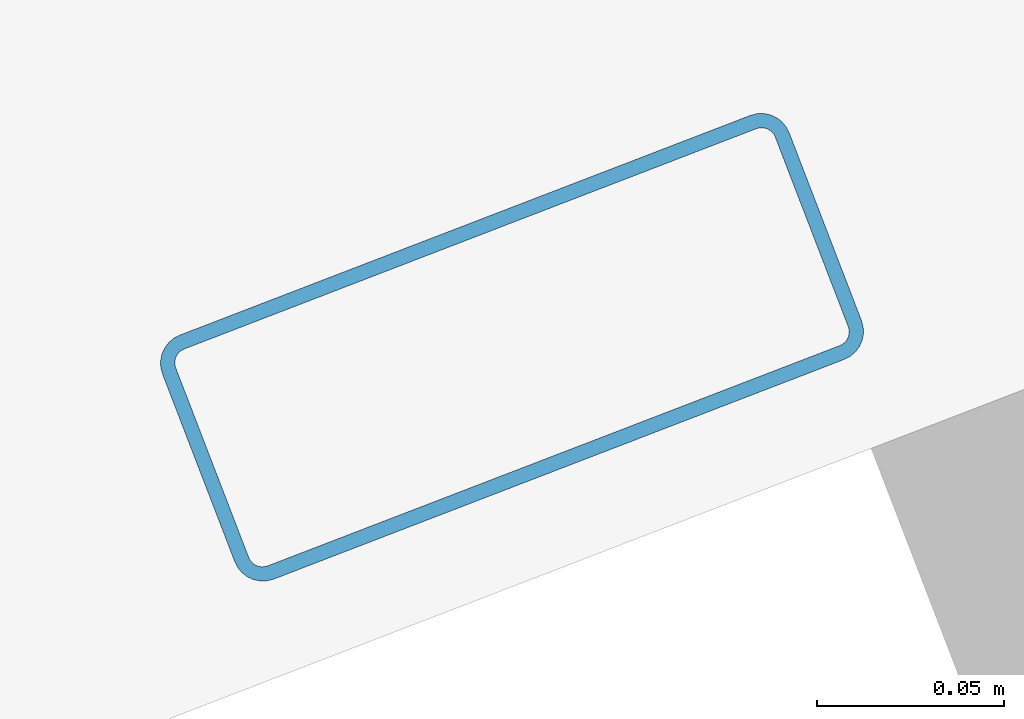
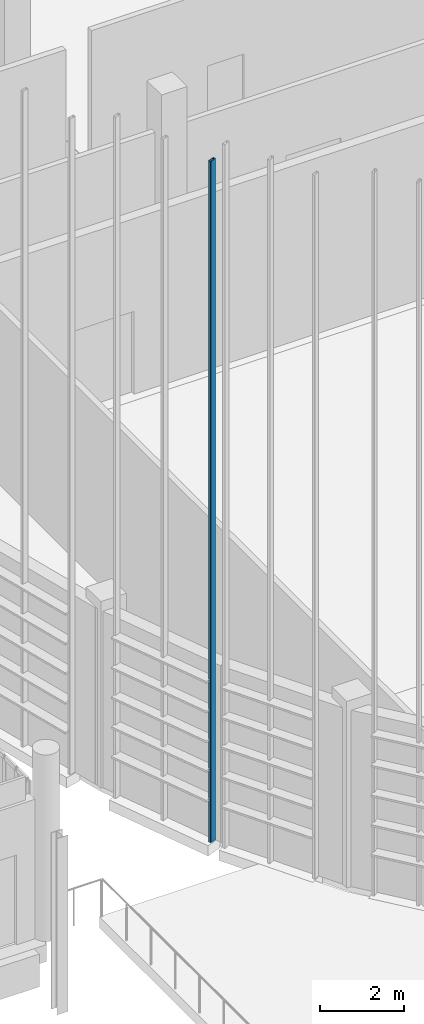
# One storey, part 166 of 372: 1 member.
"""IFC4 building model written with IfcOpenShell, lengths in metres."""

from ifc_helpers import new_model, si_unit, direction, frame, origin, origin_2d, place, context, subcontext, project, spatial, hollow_rectangle, extrude, material, material_profile, profile_set, type_object, element, save


model = new_model("IFC4")

# Units and contexts
model_context = context("Model", 3, precision=1e-05, world=origin(), true_north=direction((0.0, 1.0)))
body_context = subcontext(model_context, "Body", "Model", "MODEL_VIEW")
ifc_project = project(units=[si_unit("LENGTHUNIT", "METRE"), si_unit("AREAUNIT", "SQUARE_METRE"), si_unit("VOLUMEUNIT", "CUBIC_METRE"), si_unit("PLANEANGLEUNIT", "RADIAN"), si_unit("MASSUNIT", "GRAM", prefix="KILO")], contexts=[model_context])

# Site, building, storey
site_placement = place(None, origin())
site = spatial("IfcSite", under=ifc_project, at=site_placement, CompositionType="ELEMENT")
building_placement = place(site_placement, origin())
building = spatial("IfcBuilding", under=site, at=building_placement, Name="Kaelora Sail Theatre", CompositionType="ELEMENT")
storey_placement = place(building_placement, origin())
storey = spatial("IfcBuildingStorey", under=building, at=storey_placement, Name="L00", CompositionType="ELEMENT", Elevation=0.0)

# Member
ifc_material = material(Name="Anodised aluminium 6063-T6", Category="aluminium")
ifc_material_profile = material_profile(ifc_material, hollow_rectangle(XDim=0.070068359375, YDim=0.179931640625, WallThickness=0.00390625, InnerFilletRadius=0.00390625, OuterFilletRadius=0.008056640625, at=origin_2d()), Name="ALU-MULL 70x180x4")
ifc_profile_set = profile_set([ifc_material_profile], Name="Anodised aluminium 6063-T6")
member_type = type_object("IfcMemberType", Name="ARC-MEM-PST-160", PredefinedType="POST", material=ifc_profile_set)
member_placement = place(storey_placement, frame((79.73095703125, 40.060546875, 0.0), z_axis=(0.0, 0.0, 1.0), x_axis=(-0.359345396006, 0.933204632634, 0.0)))
element("IfcMember", 1, at=member_placement, inside=storey, type_object=member_type, Name="Studio Theatre Sail Drum solar louvre vertical support post C16-1", PredefinedType="POST", context=body_context, shape_type="SweptSolid", body=[
    extrude(hollow_rectangle(XDim=0.070068359375, YDim=0.179931640625, WallThickness=0.00390625, InnerFilletRadius=0.00390625, OuterFilletRadius=0.008056640625, at=origin_2d()), origin(), (0.0, 0.0, 1.0), 19.72119140625),
])

save(model, "model.ifc")
